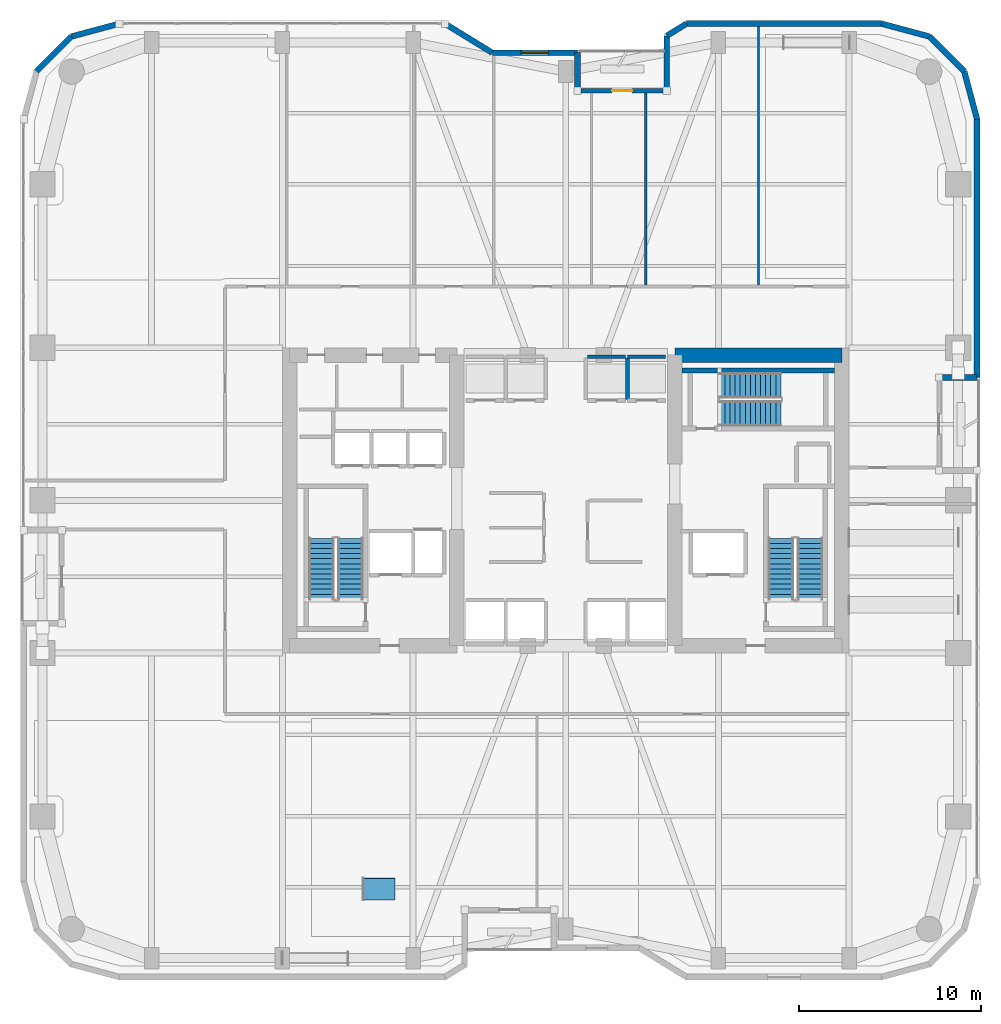
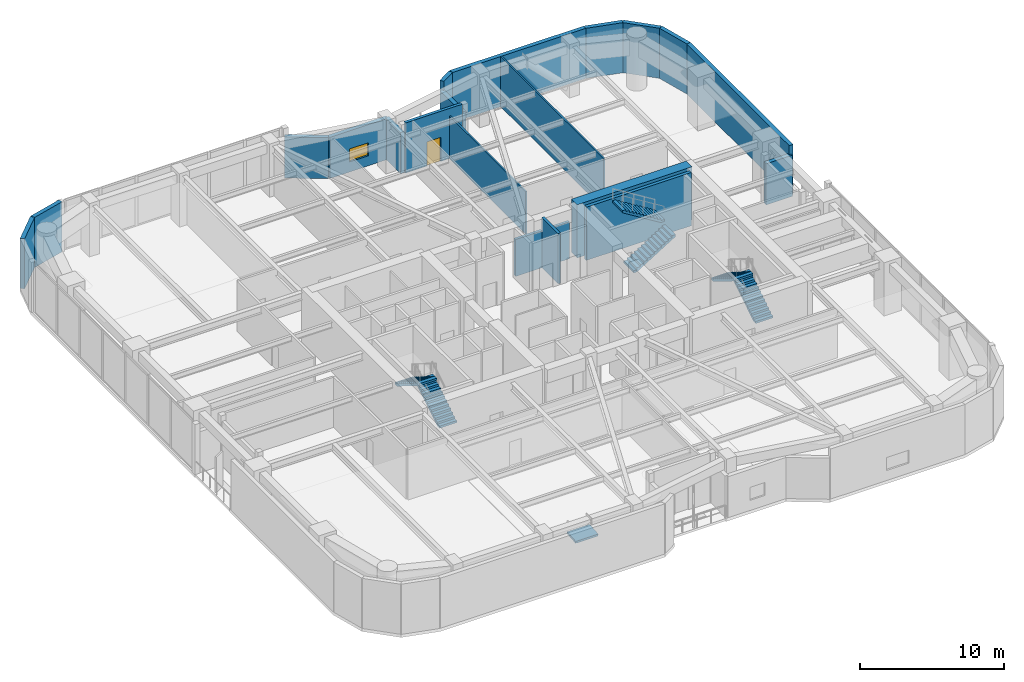
# One storey, part 17 of 23: 21 walls, 6 stair flights, 1 door, 1 ramp flight, 1 window, 2 openings, 4 elements without a shape of their own.
"""IFC4 building model written with IfcOpenShell, lengths in metres."""

from ifc_helpers import new_model, si_unit, direction, frame, frame_2d, origin, place, context, subcontext, project, spatial, polyline, rectangle, outline, extrude, material, layer, layer_set, type_object, element, fill, aggregate, save


model = new_model("IFC4")

# Units and contexts
model_context = context("Model", 3, precision=1e-05, world=origin(), true_north=direction((0.0, 1.0)))
body_context = subcontext(model_context, "Body", "Model", "MODEL_VIEW")
ifc_project = project(units=[si_unit("LENGTHUNIT", "METRE"), si_unit("AREAUNIT", "SQUARE_METRE"), si_unit("VOLUMEUNIT", "CUBIC_METRE"), si_unit("PLANEANGLEUNIT", "RADIAN"), si_unit("MASSUNIT", "GRAM", prefix="KILO")], contexts=[model_context])

# Site, building, storey
site_placement = place(None, origin())
site = spatial("IfcSite", under=ifc_project, at=site_placement, CompositionType="ELEMENT")
building_placement = place(site_placement, origin())
building = spatial("IfcBuilding", under=site, at=building_placement, Name="Kiyonajd Concourse Tower", CompositionType="ELEMENT")
storey_placement = place(building_placement, frame((0.0, 0.0, 120.89990234375)))
storey = spatial("IfcBuildingStorey", under=building, at=storey_placement, Name="L31", CompositionType="ELEMENT", Elevation=120.89990234375)

# Walls
ifc_material_1 = material(Name="Concrete C70/85", Category="concrete")
ifc_layer_1 = layer(ifc_material_1, 0.800048828125)
ifc_layer_set_1 = layer_set([ifc_layer_1], Name="Concrete C70/85")
wall_type_1 = type_object("IfcWallType", Name="WL-CORE-800", PredefinedType="SHEAR", material=ifc_layer_set_1)
wall_1_placement = place(storey_placement, frame((54.0, 44.0, 0.0), z_axis=(0.0, 0.0, 1.0), x_axis=(1.0, 0.0, 0.0)))
element("IfcWall", 1, at=wall_1_placement, inside=storey, type_object=wall_type_1, Name="L31 East Core North Shear Wall", PredefinedType="SHEAR", context=body_context, shape_type="SweptSolid", body=[
    extrude(rectangle(XDim=9.199951171875, YDim=0.800048828125, at=frame_2d((4.60009765625, 0.0))), origin(), (0.0, 0.0, 1.0), 4.5),
])
ifc_material_2 = material(Name="Precast concrete C50/60", Category="concrete")
ifc_layer_2 = layer(ifc_material_2, 0.320068359375)
ifc_layer_set_2 = layer_set([ifc_layer_2], Name="Precast concrete C50/60")
wall_type_2 = type_object("IfcWallType", Name="WL-EXT-320", PredefinedType="SOLIDWALL", material=ifc_layer_set_2)
wall_2_placement = place(storey_placement, frame((18.866455078125, 59.6171875, 0.0), z_axis=(0.0, 0.0, 1.0), x_axis=(0.707106781187, 0.707106781187, 0.0)))
element("IfcWall", 2, at=wall_2_placement, inside=storey, type_object=wall_type_2, Name="L31 Exterior Concrete Frame Wall 07", PredefinedType="SOLIDWALL", context=body_context, shape_type="SweptSolid", body=[
    extrude(rectangle(XDim=2.7099609375, YDim=0.320068359375, at=frame_2d((1.35498046875, 0.0))), origin(), (0.0, 0.0, 1.0), 4.239990234375),
])
wall_3_placement = place(storey_placement, frame((20.78271484375, 61.533447265625, 0.0), z_axis=(0.0, 0.0, 1.0), x_axis=(0.965964405026, 0.25867502435, 0.0)))
element("IfcWall", 3, at=wall_3_placement, inside=storey, type_object=wall_type_2, Name="L31 Exterior Concrete Frame Wall 08", PredefinedType="SOLIDWALL", context=body_context, shape_type="SweptSolid", body=[
    extrude(rectangle(XDim=2.7314453125, YDim=0.320068359375, at=frame_2d((1.36572265625, 0.0))), origin(), (0.0, 0.0, 1.0), 4.239990234375),
])
wall_4_placement = place(storey_placement, frame((41.354736328125, 62.239990234375, 0.0), z_axis=(0.0, 0.0, 1.0), x_axis=(0.851630857047, -0.524142044989, 0.0)))
element("IfcWall", 4, at=wall_4_placement, inside=storey, type_object=wall_type_2, Name="L31 Exterior Concrete Frame Wall 10", PredefinedType="SOLIDWALL", context=body_context, shape_type="SweptSolid", body=[
    extrude(rectangle(XDim=3.052734375, YDim=0.320068359375, at=frame_2d((1.5263671875, 0.0))), origin(), (0.0, 0.0, 1.0), 3.47509765625),
])

# Wall, opening, window
wall_5_placement = place(storey_placement, frame((43.95458984375, 60.639892578125, 0.0), z_axis=(0.0, 0.0, 1.0), x_axis=(1.0, 0.0, 0.0)))
wall_5 = element("IfcWall", 5, at=wall_5_placement, inside=storey, type_object=wall_type_2, Name="L31 Exterior Concrete Frame Wall 11", PredefinedType="SOLIDWALL", context=body_context, shape_type="SweptSolid", body=[
    extrude(rectangle(XDim=4.685302734375, YDim=0.320068359375, at=frame_2d((2.3427734375, 0.0))), origin(), (0.0, 0.0, 1.0), 3.47509765625),
])
opening_1_placement = place(wall_5_placement, frame((1.593017578125, 0.0, 0.85009765625)))
opening_1 = element("IfcOpeningElement", 6, at=opening_1_placement, cuts=wall_5, Name="Opening WN2", PredefinedType="OPENING", context=body_context, shape_type="SweptSolid", body=[
    extrude(rectangle(XDim=1.5, YDim=1.10009765625, at=frame_2d((0.75, 0.550048828125))), frame((0.0, 0.169921875, 0.0), z_axis=(0.0, -1.0, 0.0), x_axis=(1.0, 0.0, 0.0)), (0.0, 0.0, 1.0), 0.340087890625),
])
ifc_material_3 = material(Name="Double Low-E Insulated Glass", Category="glass")
window_type = type_object("IfcWindowType", Name="WN-VIS-1500x1100", PartitioningType="SINGLE_PANEL", PredefinedType="WINDOW", material=ifc_material_3)
window_placement = place(opening_1_placement, origin())
window = element("IfcWindow", 7, at=window_placement, inside=storey, type_object=window_type, Name="L31 Modular Facade Vision Window 11", OverallHeight=1.10009765625, OverallWidth=1.5, PartitioningType="SINGLE_PANEL", PredefinedType="WINDOW", context=body_context, shape_type="SweptSolid", body=[
    extrude(rectangle(XDim=1.5, YDim=1.10009765625, at=frame_2d((0.75, 0.550048828125))), frame((0.0, 0.030029296875, 0.0), z_axis=(0.0, -1.0, 0.0), x_axis=(1.0, 0.0, 0.0)), (0.0, 0.0, 1.0), 0.06005859375),
])
fill(opening_1, window)

# Walls
wall_6_placement = place(storey_placement, frame((48.639892578125, 60.639892578125, 0.0), z_axis=(0.0, 0.0, 1.0), x_axis=(0.0, -1.0, 0.0)))
element("IfcWall", 8, at=wall_6_placement, inside=storey, type_object=wall_type_2, Name="L31 Exterior Concrete Frame Wall 12", PredefinedType="SOLIDWALL", context=body_context, shape_type="SweptSolid", body=[
    extrude(rectangle(XDim=2.099853515625, YDim=0.320068359375, at=frame_2d((1.0498046875, 0.0))), origin(), (0.0, 0.0, 1.0), 3.47509765625),
])
wall_7_placement = place(storey_placement, frame((53.56005859375, 58.5400390625, 0.0), z_axis=(0.0, 0.0, 1.0), x_axis=(0.0, 1.0, 0.0)))
element("IfcWall", 9, at=wall_7_placement, inside=storey, type_object=wall_type_2, Name="L31 Exterior Concrete Frame Wall 14", PredefinedType="SOLIDWALL", context=body_context, shape_type="SweptSolid", body=[
    extrude(rectangle(XDim=3.032470703125, YDim=0.320068359375, at=frame_2d((1.51611328125, 0.0))), origin(), (0.0, 0.0, 1.0), 3.47509765625),
])
wall_8_placement = place(storey_placement, frame((53.56005859375, 61.572509765625, 0.0), z_axis=(0.0, 0.0, 1.0), x_axis=(0.851776724646, 0.523904964045, 0.0)))
element("IfcWall", 10, at=wall_8_placement, inside=storey, type_object=wall_type_2, Name="L31 Exterior Concrete Frame Wall 15", PredefinedType="SOLIDWALL", context=body_context, shape_type="SweptSolid", body=[
    extrude(rectangle(XDim=1.274169921875, YDim=0.320068359375, at=frame_2d((0.63720703125, 0.0))), origin(), (0.0, 0.0, 1.0), 4.239990234375),
])
wall_9_placement = place(storey_placement, frame((54.645263671875, 62.239990234375, 0.0), z_axis=(0.0, 0.0, 1.0), x_axis=(1.0, 0.0, 0.0)))
element("IfcWall", 11, at=wall_9_placement, inside=storey, type_object=wall_type_2, Name="L31 Exterior Concrete Frame Wall 16", PredefinedType="SOLIDWALL", context=body_context, shape_type="SweptSolid", body=[
    extrude(rectangle(XDim=10.733642578125, YDim=0.320068359375, at=frame_2d((5.36669921875, 0.0))), origin(), (0.0, 0.0, 1.0), 4.239990234375),
])
wall_10_placement = place(storey_placement, frame((65.37890625, 62.239990234375, 0.0), z_axis=(0.0, 0.0, 1.0), x_axis=(0.965958423373, -0.25869736047, 0.0)))
element("IfcWall", 12, at=wall_10_placement, inside=storey, type_object=wall_type_2, Name="L31 Exterior Concrete Frame Wall 17", PredefinedType="SOLIDWALL", context=body_context, shape_type="SweptSolid", body=[
    extrude(rectangle(XDim=2.731201171875, YDim=0.320068359375, at=frame_2d((1.36572265625, 0.0))), origin(), (0.0, 0.0, 1.0), 4.239990234375),
])
wall_11_placement = place(storey_placement, frame((68.01708984375, 61.533447265625, 0.0), z_axis=(0.0, 0.0, 1.0), x_axis=(0.707151821269, -0.707061738235, 0.0)))
element("IfcWall", 13, at=wall_11_placement, inside=storey, type_object=wall_type_2, Name="L31 Exterior Concrete Frame Wall 18", PredefinedType="SOLIDWALL", context=body_context, shape_type="SweptSolid", body=[
    extrude(rectangle(XDim=2.710205078125, YDim=0.320068359375, at=frame_2d((1.35498046875, 0.0))), origin(), (0.0, 0.0, 1.0), 4.239990234375),
])
wall_12_placement = place(storey_placement, frame((69.93359375, 59.6171875, 0.0), z_axis=(0.0, 0.0, 1.0), x_axis=(0.258613949072, -0.965980758269, 0.0)))
element("IfcWall", 14, at=wall_12_placement, inside=storey, type_object=wall_type_2, Name="L31 Exterior Concrete Frame Wall 19", PredefinedType="SOLIDWALL", context=body_context, shape_type="SweptSolid", body=[
    extrude(rectangle(XDim=2.731201171875, YDim=0.320068359375, at=frame_2d((1.36572265625, 0.0))), origin(), (0.0, 0.0, 1.0), 4.239990234375),
])
wall_13_placement = place(storey_placement, frame((70.639892578125, 56.97900390625, 0.0), z_axis=(0.0, 0.0, 1.0), x_axis=(0.0, -1.0, 0.0)))
element("IfcWall", 15, at=wall_13_placement, inside=storey, type_object=wall_type_2, Name="L31 Exterior Concrete Frame Wall 20", PredefinedType="SOLIDWALL", context=body_context, shape_type="SweptSolid", body=[
    extrude(rectangle(XDim=14.218994140625, YDim=0.320068359375, at=frame_2d((7.109375, 0.0))), origin(), (0.0, 0.0, 1.0), 4.239990234375),
])
wall_14_placement = place(storey_placement, frame((70.639892578125, 42.760009765625, 0.0), z_axis=(0.0, 0.0, 1.0), x_axis=(-1.0, 0.0, 0.0)))
element("IfcWall", 16, at=wall_14_placement, inside=storey, type_object=wall_type_2, Name="L31 Exterior Concrete Frame Wall 21", PredefinedType="SOLIDWALL", context=body_context, shape_type="SweptSolid", body=[
    extrude(rectangle(XDim=2.099853515625, YDim=0.320068359375, at=frame_2d((1.0498046875, 0.0))), origin(), (0.0, 0.0, 1.0), 3.47509765625),
])

# Wall, opening, door
ifc_layer_3 = layer(ifc_material_2, 0.239990234375)
ifc_layer_set_3 = layer_set([ifc_layer_3], Name="Precast concrete C50/60")
wall_type_3 = type_object("IfcWallType", Name="WL-LOG-240", PredefinedType="SOLIDWALL", material=ifc_layer_set_3)
wall_15_placement = place(storey_placement, frame((48.8349609375, 58.5400390625, 0.0), z_axis=(0.0, 0.0, 1.0), x_axis=(1.0, 0.0, 0.0)))
wall_15 = element("IfcWall", 17, at=wall_15_placement, inside=storey, type_object=wall_type_3, Name="L31 Recessed Loggia Thermal Wall LOG-N", PredefinedType="SOLIDWALL", context=body_context, shape_type="SweptSolid", body=[
    extrude(rectangle(XDim=4.530029296875, YDim=0.239990234375, at=frame_2d((2.26513671875, 0.0))), origin(), (0.0, 0.0, 1.0), 4.239990234375),
])
opening_2_placement = place(wall_15_placement, frame((1.715087890625, 0.0, 0.0)))
opening_2 = element("IfcOpeningElement", 18, at=opening_2_placement, cuts=wall_15, Name="Opening DL2", PredefinedType="OPENING", context=body_context, shape_type="SweptSolid", body=[
    extrude(rectangle(XDim=1.10009765625, YDim=2.0400390625, at=frame_2d((0.550048828125, 1.02001953125))), frame((0.0, 0.1298828125, 0.0), z_axis=(0.0, -1.0, 0.0), x_axis=(1.0, 0.0, 0.0)), (0.0, 0.0, 1.0), 0.260009765625),
])
ifc_material_4 = material(Name="Thermally Broken Anodised Aluminium", Category="aluminium")
door_type = type_object("IfcDoorType", Name="DR-LOG-1100", OperationType="NOTDEFINED", PredefinedType="DOOR", material=ifc_material_4)
door_placement = place(opening_2_placement, origin())
door = element("IfcDoor", 19, at=door_placement, inside=storey, type_object=door_type, Name="L31 Engawa Loggia Access Door LOG-N", OperationType="SINGLE_SWING_RIGHT", OverallHeight=2.0400390625, OverallWidth=1.10009765625, PredefinedType="DOOR", context=body_context, shape_type="SweptSolid", body=[
    extrude(rectangle(XDim=1.10009765625, YDim=2.0400390625, at=frame_2d((0.550048828125, 1.02001953125))), frame((0.0, 0.02490234375, 0.0), z_axis=(0.0, -1.0, 0.0), x_axis=(1.0, 0.0, 0.0)), (0.0, 0.0, 1.0), 0.050048828125),
])
fill(opening_2, door)

# Walls
ifc_material_5 = material(Name="Gypsum Board on Cold-Formed Steel Stud", Category="steel")
ifc_layer_4 = layer(ifc_material_5, 0.125)
ifc_layer_set_4 = layer_set([ifc_layer_4], Name="Gypsum Board on Cold-Formed Steel Stud")
wall_type_4 = type_object("IfcWallType", Name="WL-PART-125", PredefinedType="PARTITIONING", material=ifc_layer_set_4)
wall_16_placement = place(storey_placement, frame((52.39990234375, 47.85693359375, 0.0), z_axis=(0.0, 0.0, 1.0), x_axis=(0.0, 1.0, 0.0)))
element("IfcWall", 20, at=wall_16_placement, inside=storey, type_object=wall_type_4, Name="L31 Interior Partition Wall", PredefinedType="PARTITIONING", context=body_context, shape_type="SweptSolid", body=[
    extrude(rectangle(XDim=10.568115234375, YDim=0.125, at=frame_2d((5.2841796875, 0.0))), origin(), (0.0, 0.0, 1.0), 3.60302734375),
])
wall_17_placement = place(storey_placement, frame((58.610107421875, 47.85693359375, 0.0), z_axis=(0.0, 0.0, 1.0), x_axis=(0.0, 1.0, 0.0)))
element("IfcWall", 21, at=wall_17_placement, inside=storey, type_object=wall_type_4, Name="L31 Interior Partition Wall", PredefinedType="PARTITIONING", context=body_context, shape_type="SweptSolid", body=[
    extrude(rectangle(XDim=14.22802734375, YDim=0.125, at=frame_2d((7.114013671875, 0.0))), origin(), (0.0, 0.0, 1.0), 4.239990234375),
])
ifc_layer_5 = layer(ifc_material_5, 0.2099609375)
ifc_layer_set_5 = layer_set([ifc_layer_5], Name="Gypsum Board on Cold-Formed Steel Stud")
wall_type_5 = type_object("IfcWallType", Name="WL-SHAFT-210", PredefinedType="PARTITIONING", material=ifc_layer_set_5)
wall_18_placement = place(storey_placement, frame((49.199951171875, 43.89990234375, 0.0), z_axis=(0.0, 0.0, 1.0), x_axis=(1.0, 0.0, 0.0)))
element("IfcWall", 22, at=wall_18_placement, inside=storey, type_object=wall_type_5, Name="L31 Shaft Enclosure Wall", PredefinedType="PARTITIONING", context=body_context, shape_type="SweptSolid", body=[
    extrude(rectangle(XDim=2.10009765625, YDim=0.2099609375, at=frame_2d((1.050048828125, 0.0))), origin(), (0.0, 0.0, 1.0), 3.125),
])
wall_19_placement = place(storey_placement, frame((51.39990234375, 41.56005859375, 0.0), z_axis=(0.0, 0.0, 1.0), x_axis=(0.0, 1.0, 0.0)))
element("IfcWall", 23, at=wall_19_placement, inside=storey, type_object=wall_type_5, Name="L31 Shaft Enclosure Wall", PredefinedType="PARTITIONING", context=body_context, shape_type="SweptSolid", body=[
    extrude(rectangle(XDim=2.280029296875, YDim=0.2099609375, at=frame_2d((1.14013671875, 0.0))), origin(), (0.0, 0.0, 1.0), 4.239990234375),
])
wall_20_placement = place(storey_placement, frame((51.39990234375, 43.89990234375, 0.0), z_axis=(0.0, 0.0, 1.0), x_axis=(1.0, 0.0, 0.0)))
element("IfcWall", 24, at=wall_20_placement, inside=storey, type_object=wall_type_5, Name="L31 Shaft Enclosure Wall", PredefinedType="PARTITIONING", context=body_context, shape_type="SweptSolid", body=[
    extrude(rectangle(XDim=2.10009765625, YDim=0.2099609375, at=frame_2d((1.050048828125, 0.0))), origin(), (0.0, 0.0, 1.0), 3.125),
])
ifc_material_6 = material(Name="Concrete C50/60", Category="concrete")
ifc_layer_6 = layer(ifc_material_6, 0.260009765625)
ifc_layer_set_6 = layer_set([ifc_layer_6], Name="Concrete C50/60")
wall_type_6 = type_object("IfcWallType", Name="WL-STAIR-260", PredefinedType="SHEAR", material=ifc_layer_set_6)
wall_21_placement = place(storey_placement, frame((54.39990234375, 43.14990234375, 0.0), z_axis=(0.0, 0.0, 1.0), x_axis=(1.0, 0.0, 0.0)))
element("IfcWall", 25, at=wall_21_placement, inside=storey, type_object=wall_type_6, Name="L31 Stair ST3 Structural North Wall", PredefinedType="SHEAR", context=body_context, shape_type="SweptSolid", body=[
    extrude(rectangle(XDim=8.400146484375, YDim=0.260009765625, at=frame_2d((4.2001953125, 0.0))), origin(), (0.0, 0.0, 1.0), 4.5),
])

# Stair, stair flights
ifc_material_7 = material(Name="Concrete C40/50", Category="concrete")
stair_type = type_object("IfcStairType", Name="ST-DLG-26R", PredefinedType="HALF_TURN_STAIR", material=ifc_material_7)
stair_1_placement = place(storey_placement, origin())
stair_1 = element("IfcStair", 26, at=stair_1_placement, inside=storey, type_object=stair_type, Name="L31 Protected Exit Stair ST1", PredefinedType="HALF_TURN_STAIR")
stair_flight_type = type_object("IfcStairFlightType", Name="SF-STR-26R", PredefinedType="STRAIGHT", material=ifc_material_7)
stair_flight_1_placement = place(storey_placement, frame((36.14990234375, 30.550048828125, 0.0), z_axis=(0.0, 0.0, 1.0), x_axis=(0.0, 1.0, 0.0)))
stair_flight_1 = element("IfcStairFlight", 27, at=stair_flight_1_placement, type_object=stair_flight_type, Name="ST1 flight 1", NumberOfRisers=13, NumberOfTreads=12, PredefinedType="STRAIGHT", RiserHeight=0.173076923, TreadLength=0.28, context=body_context, shape_type="SweptSolid", body=[
    extrude(outline(polyline([(0.0, 0.0), (0.0, 0.173095703125), (0.280029296875, 0.173095703125), (0.280029296875, 0.34619140625), (0.56005859375, 0.34619140625), (0.56005859375, 0.519287109375), (0.840087890625, 0.519287109375), (0.840087890625, 0.6923828125), (1.1201171875, 0.6923828125), (1.1201171875, 0.865478515625), (1.39990234375, 0.865478515625), (1.39990234375, 1.03857421875), (1.679931640625, 1.03857421875), (1.679931640625, 1.21142578125), (1.9599609375, 1.21142578125), (1.9599609375, 1.384521484375), (2.239990234375, 1.384521484375), (2.239990234375, 1.5576171875), (2.52001953125, 1.5576171875), (2.52001953125, 1.730712890625), (2.800048828125, 1.730712890625), (2.800048828125, 1.90380859375), (3.080078125, 1.90380859375), (3.080078125, 2.076904296875), (3.360107421875, 2.076904296875), (3.360107421875, 2.25), (3.360107421875, 1.900634765625), (0.28515625, 0.0), (0.0, 0.0)])), frame((0.0, 0.699951171875, 0.0), z_axis=(0.0, -1.0, 0.0), x_axis=(1.0, 0.0, 0.0)), (0.0, 0.0, 1.0), 1.39990234375),
])
stair_flight_2_placement = place(storey_placement, frame((34.550048828125, 33.909912109375, 2.25), z_axis=(0.0, 0.0, 1.0), x_axis=(0.0, -1.0, 0.0)))
stair_flight_2 = element("IfcStairFlight", 28, at=stair_flight_2_placement, type_object=stair_flight_type, Name="ST1 flight 2", NumberOfRisers=13, NumberOfTreads=12, PredefinedType="STRAIGHT", RiserHeight=0.173076923, TreadLength=0.28, context=body_context, shape_type="SweptSolid", body=[
    extrude(outline(polyline([(0.0, 0.0), (0.0, 0.173095703125), (0.280029296875, 0.173095703125), (0.280029296875, 0.34619140625), (0.56005859375, 0.34619140625), (0.56005859375, 0.519287109375), (0.840087890625, 0.519287109375), (0.840087890625, 0.6923828125), (1.1201171875, 0.6923828125), (1.1201171875, 0.865478515625), (1.39990234375, 0.865478515625), (1.39990234375, 1.03857421875), (1.679931640625, 1.03857421875), (1.679931640625, 1.21142578125), (1.9599609375, 1.21142578125), (1.9599609375, 1.384521484375), (2.239990234375, 1.384521484375), (2.239990234375, 1.5576171875), (2.52001953125, 1.5576171875), (2.52001953125, 1.730712890625), (2.800048828125, 1.730712890625), (2.800048828125, 1.90380859375), (3.080078125, 1.90380859375), (3.080078125, 2.076904296875), (3.360107421875, 2.076904296875), (3.360107421875, 2.25), (3.360107421875, 1.900634765625), (0.28515625, 0.0), (0.0, 0.0)])), frame((0.0, 0.699951171875, 0.0), z_axis=(0.0, -1.0, 0.0), x_axis=(1.0, 0.0, 0.0)), (0.0, 0.0, 1.0), 1.39990234375),
])
aggregate(stair_1, [stair_flight_1, stair_flight_2])

stair_2_placement = place(storey_placement, origin())
stair_2 = element("IfcStair", 29, at=stair_2_placement, inside=storey, type_object=stair_type, Name="L31 Protected Exit Stair ST2", PredefinedType="HALF_TURN_STAIR")
stair_flight_3_placement = place(storey_placement, frame((61.449951171875, 30.550048828125, 0.0), z_axis=(0.0, 0.0, 1.0), x_axis=(0.0, 1.0, 0.0)))
stair_flight_3 = element("IfcStairFlight", 30, at=stair_flight_3_placement, type_object=stair_flight_type, Name="ST2 flight 1", NumberOfRisers=13, NumberOfTreads=12, PredefinedType="STRAIGHT", RiserHeight=0.173076923, TreadLength=0.28, context=body_context, shape_type="SweptSolid", body=[
    extrude(outline(polyline([(0.0, 0.0), (0.0, 0.173095703125), (0.280029296875, 0.173095703125), (0.280029296875, 0.34619140625), (0.56005859375, 0.34619140625), (0.56005859375, 0.519287109375), (0.840087890625, 0.519287109375), (0.840087890625, 0.6923828125), (1.1201171875, 0.6923828125), (1.1201171875, 0.865478515625), (1.39990234375, 0.865478515625), (1.39990234375, 1.03857421875), (1.679931640625, 1.03857421875), (1.679931640625, 1.21142578125), (1.9599609375, 1.21142578125), (1.9599609375, 1.384521484375), (2.239990234375, 1.384521484375), (2.239990234375, 1.5576171875), (2.52001953125, 1.5576171875), (2.52001953125, 1.730712890625), (2.800048828125, 1.730712890625), (2.800048828125, 1.90380859375), (3.080078125, 1.90380859375), (3.080078125, 2.076904296875), (3.360107421875, 2.076904296875), (3.360107421875, 2.25), (3.360107421875, 1.900634765625), (0.28515625, 0.0), (0.0, 0.0)])), frame((0.0, 0.699951171875, 0.0), z_axis=(0.0, -1.0, 0.0), x_axis=(1.0, 0.0, 0.0)), (0.0, 0.0, 1.0), 1.39990234375),
])
stair_flight_4_placement = place(storey_placement, frame((59.85009765625, 33.909912109375, 2.25), z_axis=(0.0, 0.0, 1.0), x_axis=(0.0, -1.0, 0.0)))
stair_flight_4 = element("IfcStairFlight", 31, at=stair_flight_4_placement, type_object=stair_flight_type, Name="ST2 flight 2", NumberOfRisers=13, NumberOfTreads=12, PredefinedType="STRAIGHT", RiserHeight=0.173076923, TreadLength=0.28, context=body_context, shape_type="SweptSolid", body=[
    extrude(outline(polyline([(0.0, 0.0), (0.0, 0.173095703125), (0.280029296875, 0.173095703125), (0.280029296875, 0.34619140625), (0.56005859375, 0.34619140625), (0.56005859375, 0.519287109375), (0.840087890625, 0.519287109375), (0.840087890625, 0.6923828125), (1.1201171875, 0.6923828125), (1.1201171875, 0.865478515625), (1.39990234375, 0.865478515625), (1.39990234375, 1.03857421875), (1.679931640625, 1.03857421875), (1.679931640625, 1.21142578125), (1.9599609375, 1.21142578125), (1.9599609375, 1.384521484375), (2.239990234375, 1.384521484375), (2.239990234375, 1.5576171875), (2.52001953125, 1.5576171875), (2.52001953125, 1.730712890625), (2.800048828125, 1.730712890625), (2.800048828125, 1.90380859375), (3.080078125, 1.90380859375), (3.080078125, 2.076904296875), (3.360107421875, 2.076904296875), (3.360107421875, 2.25), (3.360107421875, 1.900634765625), (0.28515625, 0.0), (0.0, 0.0)])), frame((0.0, 0.699951171875, 0.0), z_axis=(0.0, -1.0, 0.0), x_axis=(1.0, 0.0, 0.0)), (0.0, 0.0, 1.0), 1.39990234375),
])
aggregate(stair_2, [stair_flight_3, stair_flight_4])

stair_3_placement = place(storey_placement, origin())
stair_3 = element("IfcStair", 32, at=stair_3_placement, inside=storey, type_object=stair_type, Name="L31 Protected Exit Stair ST3", PredefinedType="HALF_TURN_STAIR")
stair_flight_5_placement = place(storey_placement, frame((56.47998046875, 40.780029296875, 0.0), z_axis=(0.0, 0.0, 1.0), x_axis=(1.0, 0.0, 0.0)))
stair_flight_5 = element("IfcStairFlight", 33, at=stair_flight_5_placement, type_object=stair_flight_type, Name="ST3 flight 1", NumberOfRisers=13, NumberOfTreads=12, PredefinedType="STRAIGHT", RiserHeight=0.173076923, TreadLength=0.28, context=body_context, shape_type="SweptSolid", body=[
    extrude(outline(polyline([(0.0, 0.0), (0.0, 0.173095703125), (0.280029296875, 0.173095703125), (0.280029296875, 0.34619140625), (0.56005859375, 0.34619140625), (0.56005859375, 0.519287109375), (0.840087890625, 0.519287109375), (0.840087890625, 0.6923828125), (1.1201171875, 0.6923828125), (1.1201171875, 0.865478515625), (1.39990234375, 0.865478515625), (1.39990234375, 1.03857421875), (1.679931640625, 1.03857421875), (1.679931640625, 1.21142578125), (1.9599609375, 1.21142578125), (1.9599609375, 1.384521484375), (2.239990234375, 1.384521484375), (2.239990234375, 1.5576171875), (2.52001953125, 1.5576171875), (2.52001953125, 1.730712890625), (2.800048828125, 1.730712890625), (2.800048828125, 1.90380859375), (3.080078125, 1.90380859375), (3.080078125, 2.076904296875), (3.360107421875, 2.076904296875), (3.360107421875, 2.25), (3.360107421875, 1.900634765625), (0.28515625, 0.0), (0.0, 0.0)])), frame((0.0, 0.699951171875, 0.0), z_axis=(0.0, -1.0, 0.0), x_axis=(1.0, 0.0, 0.0)), (0.0, 0.0, 1.0), 1.39990234375),
])
stair_flight_6_placement = place(storey_placement, frame((59.840087890625, 42.320068359375, 2.25), z_axis=(0.0, 0.0, 1.0), x_axis=(-1.0, 0.0, 0.0)))
stair_flight_6 = element("IfcStairFlight", 34, at=stair_flight_6_placement, type_object=stair_flight_type, Name="ST3 flight 2", NumberOfRisers=13, NumberOfTreads=12, PredefinedType="STRAIGHT", RiserHeight=0.173076923, TreadLength=0.28, context=body_context, shape_type="SweptSolid", body=[
    extrude(outline(polyline([(0.0, 0.0), (0.0, 0.173095703125), (0.280029296875, 0.173095703125), (0.280029296875, 0.34619140625), (0.56005859375, 0.34619140625), (0.56005859375, 0.519287109375), (0.840087890625, 0.519287109375), (0.840087890625, 0.6923828125), (1.1201171875, 0.6923828125), (1.1201171875, 0.865478515625), (1.39990234375, 0.865478515625), (1.39990234375, 1.03857421875), (1.679931640625, 1.03857421875), (1.679931640625, 1.21142578125), (1.9599609375, 1.21142578125), (1.9599609375, 1.384521484375), (2.239990234375, 1.384521484375), (2.239990234375, 1.5576171875), (2.52001953125, 1.5576171875), (2.52001953125, 1.730712890625), (2.800048828125, 1.730712890625), (2.800048828125, 1.90380859375), (3.080078125, 1.90380859375), (3.080078125, 2.076904296875), (3.360107421875, 2.076904296875), (3.360107421875, 2.25), (3.360107421875, 1.900634765625), (0.28515625, 0.0), (0.0, 0.0)])), frame((0.0, 0.699951171875, 0.0), z_axis=(0.0, -1.0, 0.0), x_axis=(1.0, 0.0, 0.0)), (0.0, 0.0, 1.0), 1.39990234375),
])
aggregate(stair_3, [stair_flight_5, stair_flight_6])

# Ramp, ramp flight
ramp_type = type_object("IfcRampType", Name="RM-PED-1800", PredefinedType="STRAIGHT_RUN_RAMP", material=ifc_material_7)
ramp_placement = place(storey_placement, origin())
ramp = element("IfcRamp", 35, at=ramp_placement, inside=storey, type_object=ramp_type, Name="L31 Accessible Threshold Ramp PR5", PredefinedType="STRAIGHT_RUN_RAMP")
ifc_layer_7 = layer(ifc_material_7, 0.179931640625)
ifc_layer_set_7 = layer_set([ifc_layer_7], Name="Concrete C40/50")
ramp_flight_type = type_object("IfcRampFlightType", Name="RF-PED-180", PredefinedType="STRAIGHT", material=ifc_layer_set_7)
ramp_flight_placement = place(storey_placement, frame((36.800048828125, 14.0, 0.0), z_axis=(0.0, -0.083129378007, 0.996538763176), x_axis=(1.0, 0.0, 0.0)))
ramp_flight = element("IfcRampFlight", 36, at=ramp_flight_placement, type_object=ramp_flight_type, Name="L31 Accessible Ramp Flight PR5", PredefinedType="STRAIGHT", context=body_context, shape_type="SweptSolid", body=[
    extrude(outline(polyline([(0.0, 0.0), (1.800048828125, 0.0), (1.800048828125, 1.2041189125958156), (0.0, 1.2041189125958156), (0.0, 0.0)])), origin(), (0.0, 0.0, -1.0), 0.179931640625),
])
aggregate(ramp, [ramp_flight])

save(model, "model.ifc")
